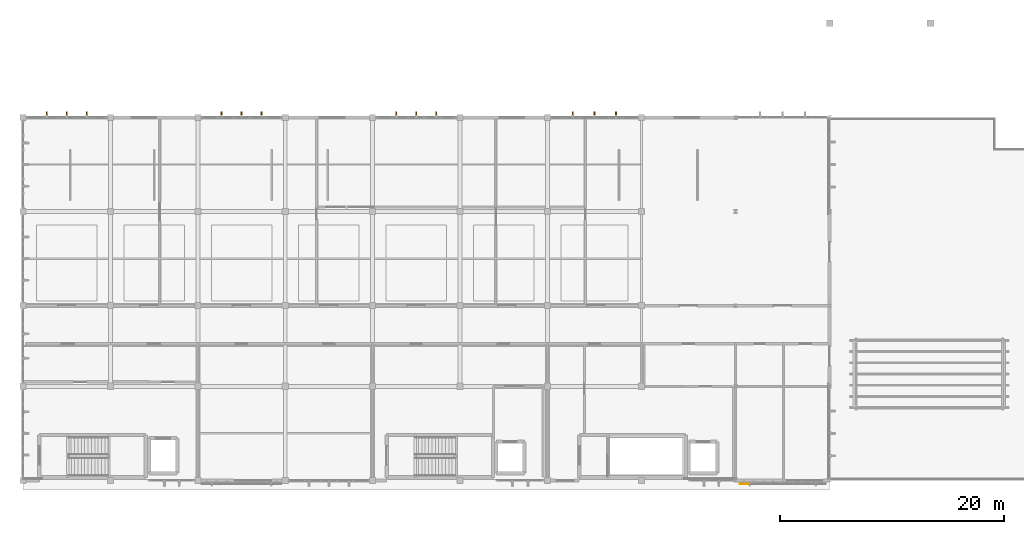
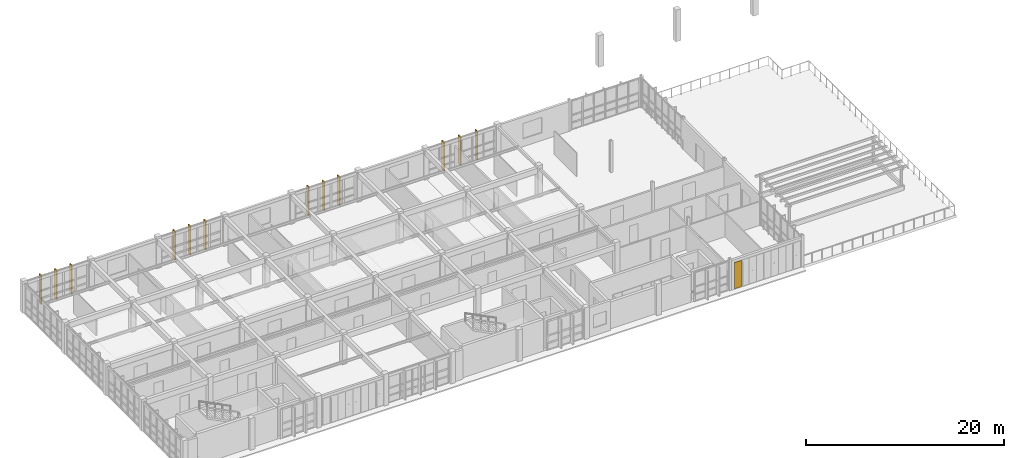
# One storey, part 34 of 35: 13 coverings.
"""IFC4 building model written with IfcOpenShell, lengths in metres."""

from ifc_helpers import new_model, si_unit, direction, frame, origin, origin_2d, place, context, subcontext, project, spatial, rectangle, extrude, material, layer, layer_set, type_object, element, save


model = new_model("IFC4")

# Units and contexts
model_context = context("Model", 3, precision=1e-05, world=origin(), true_north=direction((0.0, 1.0)))
body_context = subcontext(model_context, "Body", "Model", "MODEL_VIEW")
ifc_project = project(units=[si_unit("LENGTHUNIT", "METRE"), si_unit("AREAUNIT", "SQUARE_METRE"), si_unit("VOLUMEUNIT", "CUBIC_METRE"), si_unit("PLANEANGLEUNIT", "RADIAN"), si_unit("MASSUNIT", "GRAM", prefix="KILO")], contexts=[model_context])

# Site, building, storey
site_placement = place(None, origin())
site = spatial("IfcSite", under=ifc_project, at=site_placement, CompositionType="ELEMENT")
building_placement = place(site_placement, origin())
building = spatial("IfcBuilding", under=site, at=building_placement, Name="Tizgana Railside Sports Hall", CompositionType="ELEMENT")
storey_placement = place(building_placement, frame((0.0, 0.0, 15.89990234375)))
storey = spatial("IfcBuildingStorey", under=building, at=storey_placement, Name="L03", CompositionType="ELEMENT", Elevation=15.89990234375)

# Coverings
ifc_material_1 = material(Name="Glulam GL28h", Category="wood")
ifc_layer_1 = layer(ifc_material_1, 0.139892578125, Name="Glulam GL28h")
ifc_layer_set_1 = layer_set([ifc_layer_1], Name="Glulam GL28h")
covering_type_1 = type_object("IfcCoveringType", Name="Mass-Timber Brise-Soleil & Pergola Fin", PredefinedType="CLADDING", material=ifc_layer_set_1)
for number, where, z_axis, x_axis, name in (
    (1, (9.9150390625, 32.679931640625, 0.0400390625), (0.0, 0.0, 1.0), (1.0, 0.0, 0.0), "L03 Timber Brise-Soleil Fin"),
    (2, (11.699951171875, 32.679931640625, 0.0400390625), (0.0, 0.0, 1.0), (1.0, 0.0, 0.0), "L03 Timber Brise-Soleil Fin"),
    (3, (13.485107421875, 32.679931640625, 0.0400390625), (0.0, 0.0, 1.0), (1.0, 0.0, 0.0), "L03 Timber Brise-Soleil Fin"),
    (4, (25.514892578125, 32.679931640625, 0.0400390625), (0.0, 0.0, 1.0), (1.0, 0.0, 0.0), "L03 Timber Brise-Soleil Fin"),
    (5, (27.300048828125, 32.679931640625, 0.0400390625), (0.0, 0.0, 1.0), (1.0, 0.0, 0.0), "L03 Timber Brise-Soleil Fin"),
    (6, (29.0849609375, 32.679931640625, 0.0400390625), (0.0, 0.0, 1.0), (1.0, 0.0, 0.0), "L03 Timber Brise-Soleil Fin"),
    (7, (41.114990234375, 32.679931640625, 0.0400390625), (0.0, 0.0, 1.0), (1.0, 0.0, 0.0), "L03 Timber Brise-Soleil Fin"),
    (8, (42.89990234375, 32.679931640625, 0.0400390625), (0.0, 0.0, 1.0), (1.0, 0.0, 0.0), "L03 Timber Brise-Soleil Fin"),
    (9, (44.68505859375, 32.679931640625, 0.0400390625), (0.0, 0.0, 1.0), (1.0, 0.0, 0.0), "L03 Timber Brise-Soleil Fin"),
    (10, (56.864990234375, 32.679931640625, 0.0400390625), (0.0, 0.0, 1.0), (1.0, 0.0, 0.0), "L03 Timber Brise-Soleil Fin"),
    (11, (58.800048828125, 32.679931640625, 0.0400390625), (0.0, 0.0, 1.0), (1.0, 0.0, 0.0), "L03 Timber Brise-Soleil Fin"),
    (12, (60.735107421875, 32.679931640625, 0.0400390625), (0.0, 0.0, 1.0), (1.0, 0.0, 0.0), "L03 Timber Brise-Soleil Fin"),
):
    element("IfcCovering", number, at=place(storey_placement, frame(where, z_axis=z_axis, x_axis=x_axis)), inside=storey, type_object=covering_type_1, Name=name, PredefinedType="CLADDING", context=body_context, shape_type="SweptSolid", body=[
        extrude(rectangle(XDim=0.1201171875, YDim=0.43994140625, at=origin_2d()), origin(), (0.0, 0.0, 1.0), 3.56005859375),
    ])
ifc_material_2 = material(Name="Anodised perforated aluminium screen", Category="aluminium")
ifc_layer_2 = layer(ifc_material_2, 0.044921875, Name="Anodised perforated aluminium screen")
ifc_layer_set_2 = layer_set([ifc_layer_2], Name="Anodised perforated aluminium screen")
covering_type_2 = type_object("IfcCoveringType", Name="Perforated Aluminium Hall Screen 900", PredefinedType="CLADDING", material=ifc_layer_set_2)
covering_placement = place(storey_placement, frame((72.177734375, -0.31494140625, 0.2001953125), z_axis=(0.0, 0.0, 1.0), x_axis=(-1.0, 0.0, 0.0)))
element("IfcCovering", 13, at=covering_placement, inside=storey, type_object=covering_type_2, Name="L03 Perforated Screen SCR-0605", PredefinedType="CLADDING", context=body_context, shape_type="SweptSolid", body=[
    extrude(rectangle(XDim=0.837646484375, YDim=0.044921875, at=origin_2d()), origin(), (0.0, 0.0, 1.0), 3.239990234375),
])

save(model, "model.ifc")
